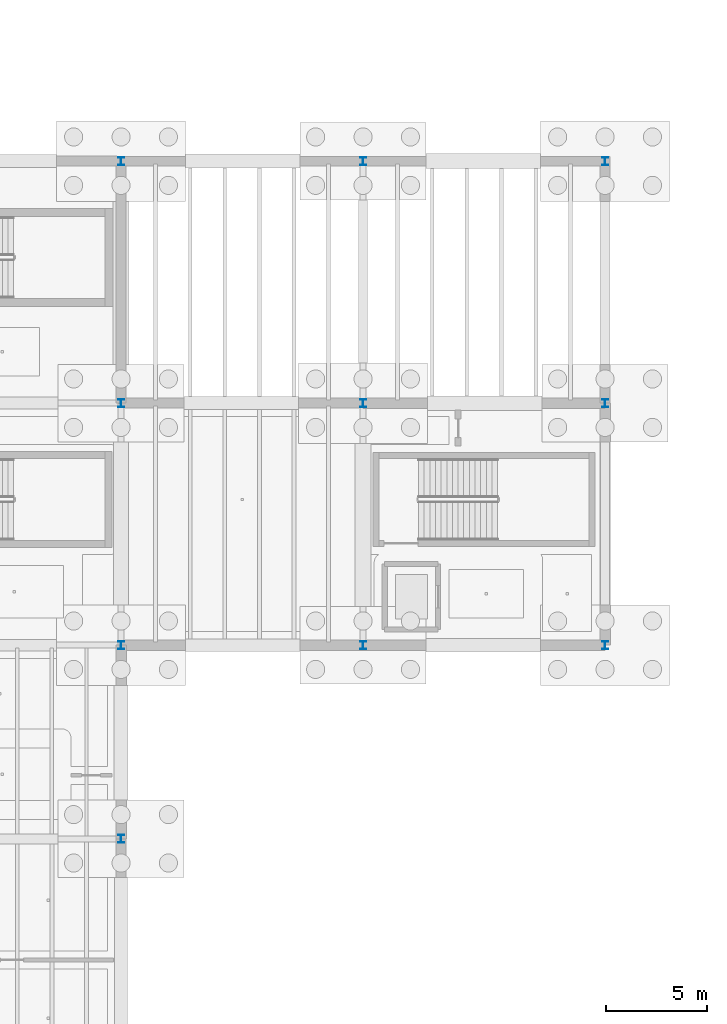
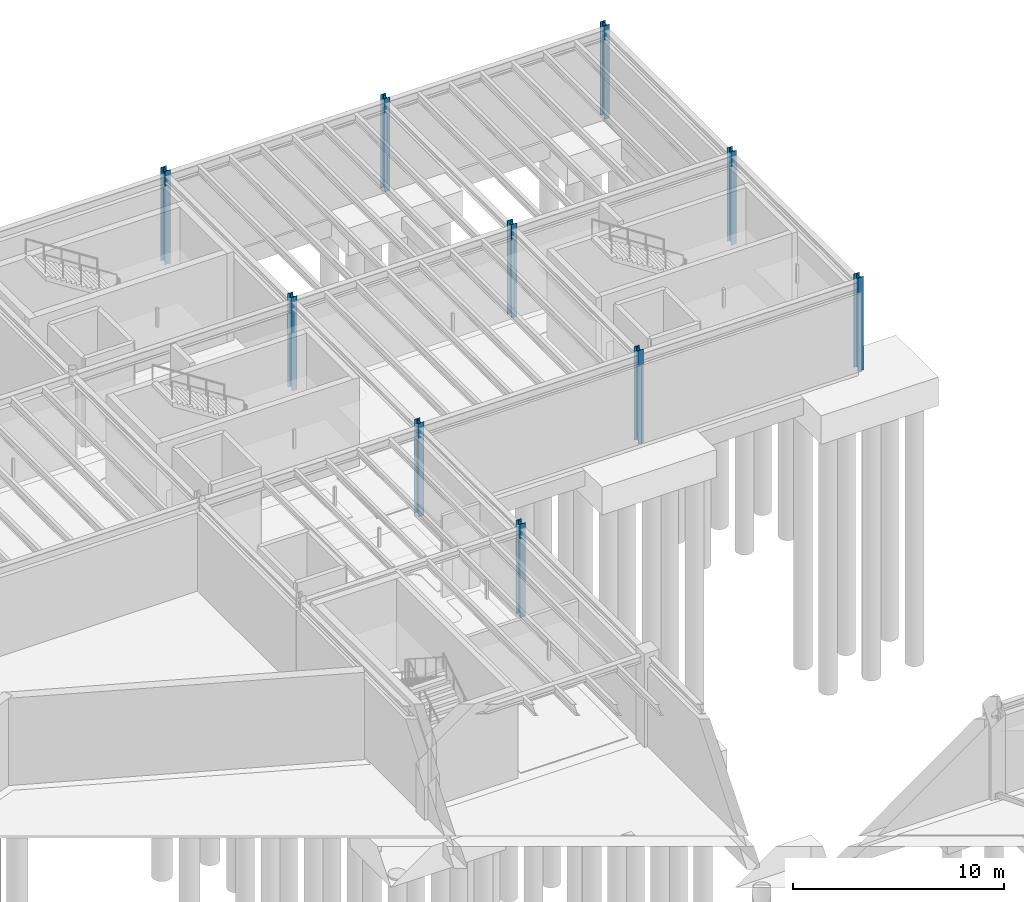
# One storey, part 20 of 67: 10 columns.
"""IFC4 building model written with IfcOpenShell, lengths in metres."""

from ifc_helpers import new_model, si_unit, direction, frame, origin, origin_2d, place, context, subcontext, project, spatial, i_section, extrude, material, material_profile, profile_set, type_object, element, save


model = new_model("IFC4")

# Units and contexts
model_context = context("Model", 3, precision=1e-05, world=origin(), true_north=direction((0.0, 1.0)))
body_context = subcontext(model_context, "Body", "Model", "MODEL_VIEW")
ifc_project = project(units=[si_unit("LENGTHUNIT", "METRE"), si_unit("AREAUNIT", "SQUARE_METRE"), si_unit("VOLUMEUNIT", "CUBIC_METRE"), si_unit("PLANEANGLEUNIT", "RADIAN"), si_unit("MASSUNIT", "GRAM", prefix="KILO")], contexts=[model_context])

# Site, building, storey
site_placement = place(None, origin())
site = spatial("IfcSite", under=ifc_project, at=site_placement, CompositionType="ELEMENT")
building_placement = place(site_placement, origin())
building = spatial("IfcBuilding", under=site, at=building_placement, Name="Zlatogorsky Bluff Art Gallery", CompositionType="ELEMENT")
storey_placement = place(building_placement, frame((0.0, 0.0, -5.39990234375)))
storey = spatial("IfcBuildingStorey", under=building, at=storey_placement, Name="B1", CompositionType="ELEMENT", Elevation=-5.39990234375)

# Columns
ifc_material = material(Name="Steel S355", Category="steel")
ifc_material_profile = material_profile(ifc_material, i_section(OverallWidth=0.300048828125, OverallDepth=0.39990234375, WebThickness=0.013427734375, FlangeThickness=0.02392578125, FilletRadius=0.027099609375, at=origin_2d()), Name="HEB 400")
ifc_profile_set = profile_set([ifc_material_profile], Name="Steel S355")
column_type = type_object("IfcColumnType", Name="Column CL-04 HEB 400", PredefinedType="COLUMN", material=ifc_profile_set)
for number, where, z_axis, x_axis, name in (
    (1, (132.0, 74.39990234375, 0.0), (0.0, 0.0, 1.0), (1.0, 0.0, 0.0), "Column CL-04 B1 M8"),
    (2, (132.0, 84.0, 0.0), (0.0, 0.0, 1.0), (1.0, 0.0, 0.0), "Column CL-04 B1 M9"),
    (3, (132.0, 96.0, 0.0), (0.0, 0.0, 1.0), (1.0, 0.0, 0.0), "Column CL-04 B1 M10"),
    (4, (132.0, 108.0, 0.0), (0.0, 0.0, 1.0), (1.0, 0.0, 0.0), "Column CL-04 B1 M11"),
    (5, (144.0, 84.0, 0.0), (0.0, 0.0, 1.0), (1.0, 0.0, 0.0), "Column CL-04 B1 N9"),
    (6, (144.0, 96.0, 0.0), (0.0, 0.0, 1.0), (1.0, 0.0, 0.0), "Column CL-04 B1 N10"),
    (7, (144.0, 108.0, 0.0), (0.0, 0.0, 1.0), (1.0, 0.0, 0.0), "Column CL-04 B1 N11"),
    (8, (156.0, 84.0, 0.0), (0.0, 0.0, 1.0), (1.0, 0.0, 0.0), "Column CL-04 B1 P9"),
    (9, (156.0, 96.0, 0.0), (0.0, 0.0, 1.0), (1.0, 0.0, 0.0), "Column CL-04 B1 P10"),
    (10, (156.0, 108.0, 0.0), (0.0, 0.0, 1.0), (1.0, 0.0, 0.0), "Column CL-04 B1 P11"),
):
    element("IfcColumn", number, at=place(storey_placement, frame(where, z_axis=z_axis, x_axis=x_axis)), inside=storey, type_object=column_type, Name=name, PredefinedType="COLUMN", context=body_context, shape_type="SweptSolid", body=[
        extrude(i_section(OverallWidth=0.300048828125, OverallDepth=0.39990234375, WebThickness=0.013427734375, FlangeThickness=0.02392578125, FilletRadius=0.027099609375, at=origin_2d()), origin(), (0.0, 0.0, 1.0), 5.39990234375),
    ])

save(model, "model.ifc")
